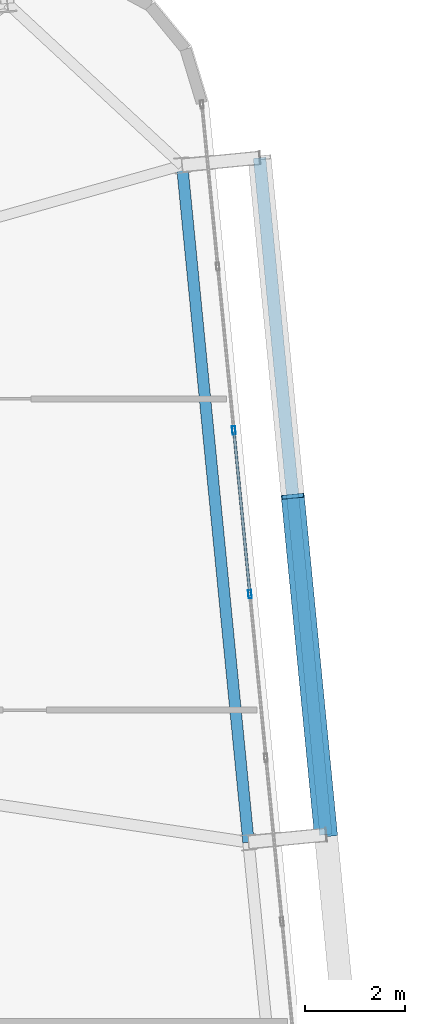
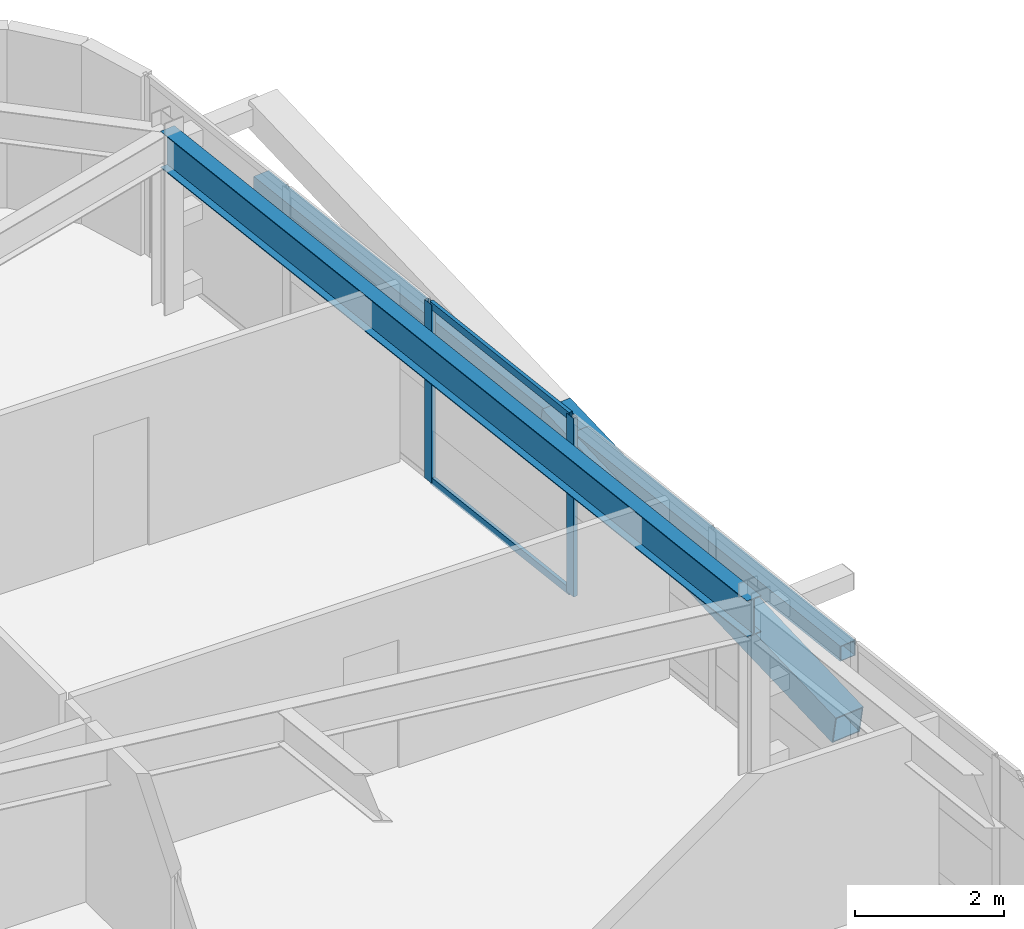
# One storey, part 26 of 52: 6 members, 1 beam, 1 element without a shape of its own.
"""IFC4 building model written with IfcOpenShell, lengths in metres."""

import ifcopenshell
import ifcopenshell.guid

model = None  # the IFC model being written
_history = None  # IfcOwnerHistory: only IFC2X3 demands one
_inside = {}  # id of a spatial element -> (the spatial element, [elements in it])
_under = {}  # id of a project, library or spatial element -> (it, [spatial elements below it])
_declared = {}  # id of a project -> (the project, [libraries it declares])
_typed = {}  # id of a type object -> (the type object, [elements of that type])
_made_of = {}  # id of a material, layer set ... -> (it, [elements and type objects made of it])


def new_model(schema):
    """Start an empty IFC model of exactly this schema.

    Asked for "IFC4X3", IfcOpenShell would pick the latest addendum, in which some entities
    have other attributes; the version numbers below select the first issue.
    IFC2X3 requires an IfcOwnerHistory on every rooted entity: one is made here for all.
    """
    global model, _history
    if schema == "IFC4X3":
        model = ifcopenshell.file(schema_version=(4, 3, 0, 0))
    else:
        model = ifcopenshell.file(schema=schema)
    _inside.clear()
    _under.clear()
    _declared.clear()
    _typed.clear()
    _made_of.clear()
    _history = None
    if model.schema == "IFC2X3":
        org = make("IfcOrganization", Name="unknown")
        user = make(
            "IfcPersonAndOrganization",
            ThePerson=make("IfcPerson", FamilyName="unknown"),
            TheOrganization=org,
        )
        app = make(
            "IfcApplication",
            ApplicationDeveloper=org,
            Version="unknown",
            ApplicationFullName="unknown",
            ApplicationIdentifier="unknown",
        )
        _history = make(
            "IfcOwnerHistory",
            OwningUser=user,
            OwningApplication=app,
            ChangeAction="ADDED",
            CreationDate=0,
        )
    return model


def make(cls, **values):
    """One entity of the class cls with the attributes given. An attribute that is None is left unset."""
    return model.create_entity(
        cls, **{name: value for name, value in values.items() if value is not None}
    )


def rooted(cls, **values):
    """An entity with a GlobalId (a new one), such as an element, a storey or a relation."""
    return make(cls, GlobalId=ifcopenshell.guid.new(), OwnerHistory=_history, **values)


def si_unit(unit_type, name, prefix=None):
    """IfcSIUnit, for example si_unit("LENGTHUNIT", "METRE", prefix="MILLI")."""
    return make("IfcSIUnit", UnitType=unit_type, Prefix=prefix, Name=name)


def assignment(units):
    """IfcUnitAssignment: the units of a project."""
    return None if units is None else make("IfcUnitAssignment", Units=units)


def point(xyz):
    """IfcCartesianPoint."""
    return None if xyz is None else make("IfcCartesianPoint", Coordinates=xyz)


def direction(xyz):
    """IfcDirection."""
    return None if xyz is None else make("IfcDirection", DirectionRatios=xyz)


def frame(location, z_axis=None, x_axis=None):
    """IfcAxis2Placement3D, a coordinate frame: its origin and axes. An axis left out is left unset."""
    return make(
        "IfcAxis2Placement3D",
        Location=point(location),
        Axis=direction(z_axis),
        RefDirection=direction(x_axis),
    )


def frame_2d(location, x_axis=None):
    """IfcAxis2Placement2D, a coordinate frame in the plane: its origin and x axis."""
    return make(
        "IfcAxis2Placement2D", Location=point(location), RefDirection=direction(x_axis)
    )


def origin():
    """The frame at (0, 0, 0) with its axes left unset."""
    return frame((0.0, 0.0, 0.0))


def origin_2d():
    """The frame at (0, 0) in the plane with its x axis left unset."""
    return frame_2d((0.0, 0.0))


def place(relative_to, where):
    """IfcLocalPlacement: puts the frame where relative to a parent placement (None: the world)."""
    return make(
        "IfcLocalPlacement", PlacementRelTo=relative_to, RelativePlacement=where
    )


def context(
    kind, dimensions, precision=None, world=None, true_north=None, identifier=None
):
    """IfcGeometricRepresentationContext, for example the 3D "Model" context."""
    return make(
        "IfcGeometricRepresentationContext",
        ContextIdentifier=identifier,
        ContextType=kind,
        CoordinateSpaceDimension=dimensions,
        Precision=precision,
        WorldCoordinateSystem=world,
        TrueNorth=true_north,
    )


def subcontext(parent, identifier, kind, view, scale=None):
    """IfcGeometricRepresentationSubContext, for example "Body" below "Model"."""
    return make(
        "IfcGeometricRepresentationSubContext",
        ContextIdentifier=identifier,
        ContextType=kind,
        ParentContext=parent,
        TargetScale=scale,
        TargetView=view,
    )


def project(units=None, contexts=None):
    """IfcProject with its units and contexts."""
    return rooted(
        "IfcProject",
        Name="project",
        RepresentationContexts=contexts,
        UnitsInContext=assignment(units),
    )


def spatial(cls, under=None, at=None, **own):
    """A site, building, storey or space (cls), placed at a placement, below another one or the project."""
    s = rooted(cls, ObjectPlacement=at, **own)
    if under is not None:
        _under.setdefault(under.id(), (under, []))[1].append(s)
    return s


def profile(cls, at=None, kind="AREA", **sizes):
    """A parametric profile (cls). Its sizes go by their IFC names, for example OverallWidth=200.0."""
    return make(cls, ProfileType=kind, Position=at, **sizes)


def hollow_rectangle(**sizes):
    """IfcRectangleHollowProfileDef."""
    return profile("IfcRectangleHollowProfileDef", **sizes)


def i_section(**sizes):
    """IfcIShapeProfileDef."""
    return profile("IfcIShapeProfileDef", **sizes)


def extrude(swept, where, along, depth):
    """IfcExtrudedAreaSolid: the profile swept, set in the frame where, extruded along a direction by depth."""
    return make(
        "IfcExtrudedAreaSolid",
        SweptArea=swept,
        Position=where,
        ExtrudedDirection=direction(along),
        Depth=depth,
    )


def shape(context_of_items, identifier, shape_type, items):
    """IfcShapeRepresentation: the items that make up one representation, for example the "Body"."""
    return make(
        "IfcShapeRepresentation",
        ContextOfItems=context_of_items,
        RepresentationIdentifier=identifier,
        RepresentationType=shape_type,
        Items=items,
    )


def source(mapping_origin, context_of_items, identifier, shape_type, items):
    """IfcRepresentationMap: a shape defined once, which mapped items show again and again."""
    return make(
        "IfcRepresentationMap",
        MappingOrigin=mapping_origin,
        MappedRepresentation=shape(context_of_items, identifier, shape_type, items),
    )


def transform(
    local_origin,
    x_axis=None,
    y_axis=None,
    z_axis=None,
    scale=None,
    scale2=None,
    scale3=None,
    uniform=True,
):
    """IfcCartesianTransformationOperator3D, or its non-uniform kind. x_axis, y_axis, z_axis: its Axis1, 2, 3."""
    if uniform:
        return make(
            "IfcCartesianTransformationOperator3D",
            Axis1=direction(x_axis),
            Axis2=direction(y_axis),
            LocalOrigin=point(local_origin),
            Scale=scale,
            Axis3=direction(z_axis),
        )
    return make(
        "IfcCartesianTransformationOperator3DnonUniform",
        Axis1=direction(x_axis),
        Axis2=direction(y_axis),
        LocalOrigin=point(local_origin),
        Scale=scale,
        Axis3=direction(z_axis),
        Scale2=scale2,
        Scale3=scale3,
    )


def mapped(mapping_source, mapping_target):
    """IfcMappedItem: shows the shape of a source again, moved by a transform."""
    return make(
        "IfcMappedItem", MappingSource=mapping_source, MappingTarget=mapping_target
    )


def material(Name=None, Category=None):
    """IfcMaterial."""
    return make("IfcMaterial", Name=Name, Category=Category)


def layer(
    of_material, thickness, ventilated=None, Name=None, Category=None, Priority=None
):
    """IfcMaterialLayer: one layer of a wall or slab, of a material (None: an air gap)."""
    return make(
        "IfcMaterialLayer",
        Material=of_material,
        LayerThickness=thickness,
        IsVentilated=ventilated,
        Name=Name,
        Category=Category,
        Priority=Priority,
    )


def layer_set(layers, Name=None):
    """IfcMaterialLayerSet."""
    return make("IfcMaterialLayerSet", MaterialLayers=layers, LayerSetName=Name)


def material_profile(
    of_material, cross_section, Name=None, Category=None, Priority=None
):
    """IfcMaterialProfile: a cross section and its material."""
    return make(
        "IfcMaterialProfile",
        Name=Name,
        Material=of_material,
        Profile=cross_section,
        Priority=Priority,
        Category=Category,
    )


def profile_set(profiles, Name=None, composite=None):
    """IfcMaterialProfileSet."""
    return make(
        "IfcMaterialProfileSet",
        Name=Name,
        MaterialProfiles=profiles,
        CompositeProfile=composite,
    )


def made_of(thing, what):
    """Note that an element or type object is made of a material, layer set ...; save() writes the relation."""
    if what is not None:
        _made_of.setdefault(what.id(), (what, []))[1].append(thing)
    return thing


def type_object(cls, material=None, **own):
    """A type object (cls), such as IfcWallType, which elements share."""
    return made_of(rooted(cls, **own), material)


def element(
    cls,
    number,
    at=None,
    inside=None,
    cuts=None,
    type_object=None,
    material=None,
    context=None,
    identifier="Body",
    shape_type=None,
    held_by="IfcProductDefinitionShape",
    body=None,
    shapes=None,
    **own,
):
    """One element of the class cls, such as IfcWall. Its Tag is "e" and its number.

    at: its placement. inside: the storey or other place that contains it. cuts: it is an
    opening in that element (IfcRelVoidsElement). A single representation is given by context,
    identifier, shape_type and body (its items); several are given by shapes. held_by: the class
    of the entity that holds the representations. save() writes the other relations.
    """
    e = rooted(cls, Tag="e%d" % number, ObjectPlacement=at, **own)
    if body is not None:
        shapes = [shape(context, identifier, shape_type, body)]
    if shapes is not None:
        e.Representation = make(held_by, Representations=shapes)
    if inside is not None:
        _inside.setdefault(inside.id(), (inside, []))[1].append(e)
    if cuts is not None:
        rooted(
            "IfcRelVoidsElement", RelatingBuildingElement=cuts, RelatedOpeningElement=e
        )
    if type_object is not None:
        _typed.setdefault(type_object.id(), (type_object, []))[1].append(e)
    return made_of(e, material)


def aggregate(whole, parts):
    """IfcRelAggregates: a whole, such as a stair, and the parts it consists of."""
    return rooted("IfcRelAggregates", RelatingObject=whole, RelatedObjects=parts)


def save(model, path):
    """Write the relations noted so far, then the file.

    IfcRelAggregates (storeys below a building ...), IfcRelContainedInSpatialStructure (elements
    in a storey), IfcRelDefinesByType, IfcRelAssociatesMaterial and IfcRelDeclares: one each for
    every whole, place, type object, material and project.
    """
    for whole, parts in _under.values():
        aggregate(whole, parts)
    for where, things in _inside.values():
        rooted(
            "IfcRelContainedInSpatialStructure",
            RelatedElements=things,
            RelatingStructure=where,
        )
    for kind, things in _typed.values():
        rooted("IfcRelDefinesByType", RelatedObjects=things, RelatingType=kind)
    for what, things in _made_of.values():
        rooted("IfcRelAssociatesMaterial", RelatedObjects=things, RelatingMaterial=what)
    for by, libraries in _declared.values():
        rooted("IfcRelDeclares", RelatingContext=by, RelatedDefinitions=libraries)
    model.write(path)


model = new_model("IFC4")

# Units and contexts
model_context = context("Model", 3, precision=1e-05, world=origin(), true_north=direction((0.0, 1.0)))
body_context = subcontext(model_context, "Body", "Model", "MODEL_VIEW")
ifc_project = project(units=[si_unit("LENGTHUNIT", "METRE"), si_unit("AREAUNIT", "SQUARE_METRE"), si_unit("VOLUMEUNIT", "CUBIC_METRE"), si_unit("PLANEANGLEUNIT", "RADIAN"), si_unit("MASSUNIT", "GRAM", prefix="KILO")], contexts=[model_context])

# Site, building, storey
site_placement = place(None, origin())
site = spatial("IfcSite", under=ifc_project, at=site_placement, CompositionType="ELEMENT")
building_placement = place(site_placement, origin())
building = spatial("IfcBuilding", under=site, at=building_placement, Name="Taldren Reach Tower", CompositionType="ELEMENT")
storey_placement = place(building_placement, frame((0.0, 0.0, 77.699951171875)))
storey = spatial("IfcBuildingStorey", under=building, at=storey_placement, Name="L23", CompositionType="ELEMENT", Elevation=77.699951171875)

# Beam
ifc_material_1 = material(Name="Steel Gr 350 (350PLUS)", Category="steel")
ifc_material_profile_1 = material_profile(ifc_material_1, i_section(OverallWidth=0.22802734375, OverallDepth=0.60205078125, WebThickness=0.010498046875, FlangeThickness=0.014892578125, at=origin_2d()), Name="610UB101")
ifc_profile_set_1 = profile_set([ifc_material_profile_1], Name="Steel Gr 350 (350PLUS)")
beam_type = type_object("IfcBeamType", Name="BM-UB610B", PredefinedType="BEAM", material=ifc_profile_set_1)
shared_shape_1 = source(origin(), body_context, "Body", "SweptSolid", [
    extrude(i_section(OverallWidth=0.22802734375, OverallDepth=0.60205078125, WebThickness=0.010498046875, FlangeThickness=0.014892578125, at=origin_2d()), origin(), (0.0, 0.0, 1.0), 13.550048828125),
])
beam_placement = place(storey_placement, frame((64.569580078125, 21.968994140625, 2.629150390625), z_axis=(-0.097584021339, 0.995227290009, 0.0), x_axis=(-0.995227290009, -0.097584021339, 0.0)))
element("IfcBeam", 1, at=beam_placement, inside=storey, type_object=beam_type, Name="Perimeter gable girder B2 E2-E3 L23", PredefinedType="BEAM", context=body_context, shape_type="MappedRepresentation", body=[
    mapped(shared_shape_1, transform((0.0, 0.0, 0.0), scale=1.0)),
])

# Members
ifc_material_2 = material(Name="Steel Gr 450 (C450L0)", Category="steel")
ifc_material_profile_2 = material_profile(ifc_material_2, hollow_rectangle(XDim=0.4599609375, YDim=0.4599609375, WallThickness=0.01611328125, at=origin_2d()), Name="460x460x16.0SHS")
ifc_profile_set_2 = profile_set([ifc_material_profile_2], Name="Steel Gr 450 (C450L0)")
member_type_1 = type_object("IfcMemberType", Name="MB-EXO457", PredefinedType="BRACE", material=ifc_profile_set_2)
shared_shape_2 = source(origin(), body_context, "Body", "SweptSolid", [
    extrude(hollow_rectangle(XDim=0.4599609375, YDim=0.4599609375, WallThickness=0.01611328125, at=origin_2d()), origin(), (0.0, 0.0, 1.0), 6.883056640625),
])
member_1_placement = place(storey_placement, frame((66.112060546875, 22.1201171875, 0.219970703125), z_axis=(-0.09605145821, 0.97959718347, 0.176531797456), x_axis=(-0.995227290009, -0.097584021339, 0.0)))
element("IfcMember", 2, at=member_1_placement, inside=storey, type_object=member_type_1, Name="Exoskeleton Diagrid Brace B2-E2 L23", PredefinedType="BRACE", context=body_context, shape_type="MappedRepresentation", body=[
    mapped(shared_shape_2, transform((0.0, 0.0, 0.0), scale=1.0)),
])
ifc_material_3 = material(Name="Steel Gr 350 (C350L0)", Category="steel")
ifc_material_profile_3 = material_profile(ifc_material_3, hollow_rectangle(XDim=0.25, YDim=0.25, WallThickness=0.010009765625, at=origin_2d()), Name="250x250x10.0SHS")
ifc_profile_set_3 = profile_set([ifc_material_profile_3], Name="Steel Gr 350 (C350L0)")
member_type_2 = type_object("IfcMemberType", Name="MB-POST250", PredefinedType="POST", material=ifc_profile_set_3)
shared_shape_3 = source(origin(), body_context, "Body", "SweptSolid", [
    extrude(hollow_rectangle(XDim=0.25, YDim=0.25, WallThickness=0.010009765625, at=origin_2d()), origin(), (0.0, 0.0, 1.0), 13.550048828125),
])
member_2_placement = place(storey_placement, frame((66.112060546875, 22.1201171875, 1.43505859375), z_axis=(-0.097584021339, 0.995227290009, 0.0), x_axis=(-0.995227290009, -0.097584021339, 0.0)))
element("IfcMember", 3, at=member_2_placement, inside=storey, type_object=member_type_2, Name="Exoskeleton mid-height ring chord B2-E2 L23", PredefinedType="POST", context=body_context, shape_type="MappedRepresentation", body=[
    mapped(shared_shape_3, transform((0.0, 0.0, 0.0), scale=1.0)),
])

# Curtain wall, members
ifc_material_4 = material(Name="Aluminium and Low-E Glass Unitised System", Category="aluminium")
ifc_layer = layer(ifc_material_4, 0.159912109375)
ifc_layer_set = layer_set([ifc_layer], Name="Aluminium and Low-E Glass Unitised System")
curtain_wall_type = type_object("IfcCurtainWallType", Name="CW-SYS-3", PredefinedType="NOTDEFINED", material=ifc_layer_set)
curtain_wall_placement = place(storey_placement, origin())
curtain_wall = element("IfcCurtainWall", 4, at=curtain_wall_placement, inside=storey, type_object=curtain_wall_type, Name="Unitised curtain wall CW-L23-E", PredefinedType="NOTDEFINED")
ifc_material_5 = material(Name="Anodised Aluminium 6063-T6", Category="aluminium")
ifc_material_profile_4 = material_profile(ifc_material_5, hollow_rectangle(XDim=0.06494140625, YDim=0.1650390625, WallThickness=0.00390625, at=origin_2d()), Name="ALU-165x65x4RHS")
ifc_profile_set_4 = profile_set([ifc_material_profile_4], Name="Anodised Aluminium 6063-T6")
member_type_3 = type_object("IfcMemberType", Name="CW-MUL-165", PredefinedType="MULLION", material=ifc_profile_set_4)
shared_shape_4 = source(origin(), body_context, "Body", "SweptSolid", [
    extrude(hollow_rectangle(XDim=0.06494140625, YDim=0.1650390625, WallThickness=0.00390625, at=origin_2d()), origin(), (0.0, 0.0, 1.0), 2.929931640625),
])
member_3_placement = place(storey_placement, frame((64.59716796875, 26.911865234375, 0.0), z_axis=(0.0, 0.0, 1.0), x_axis=(-0.99522741555, -0.09758274098, 0.0)))
member_3 = element("IfcMember", 5, at=member_3_placement, type_object=member_type_3, Name="CW-3 mullion 7", PredefinedType="MULLION", context=body_context, shape_type="MappedRepresentation", body=[
    mapped(shared_shape_4, transform((0.0, 0.0, 0.0), scale=1.0)),
])
member_4_placement = place(storey_placement, frame((64.27734375, 30.174072265625, 0.0), z_axis=(0.0, 0.0, 1.0), x_axis=(-0.99522741555, -0.09758274098, 0.0)))
member_4 = element("IfcMember", 6, at=member_4_placement, type_object=member_type_3, Name="CW-3 mullion 8", PredefinedType="MULLION", context=body_context, shape_type="MappedRepresentation", body=[
    mapped(shared_shape_4, transform((0.0, 0.0, 0.0), scale=1.0)),
])
ifc_material_profile_5 = material_profile(ifc_material_5, hollow_rectangle(XDim=0.054931640625, YDim=0.1201171875, WallThickness=0.0029296875, at=origin_2d()), Name="ALU-120x55x3RHS")
ifc_profile_set_5 = profile_set([ifc_material_profile_5], Name="Anodised Aluminium 6063-T6")
member_type_4 = type_object("IfcMemberType", Name="CW-TRN-135", PredefinedType="USERDEFINED", material=ifc_profile_set_5)
shared_shape_5 = source(origin(), body_context, "Body", "SweptSolid", [
    extrude(hollow_rectangle(XDim=0.054931640625, YDim=0.1201171875, WallThickness=0.0029296875, at=origin_2d()), origin(), (0.0, 0.0, 1.0), 3.212890625),
])
member_5_placement = place(storey_placement, frame((64.593994140625, 26.944091796875, 0.027587890625), z_axis=(-0.097569948235, 0.995228669805, 0.0), x_axis=(-0.995228669805, -0.097569948235, 0.0)))
member_5 = element("IfcMember", 7, at=member_5_placement, type_object=member_type_4, Name="CW-3 transom 7.1", ObjectType="TRANSOM", PredefinedType="USERDEFINED", context=body_context, shape_type="MappedRepresentation", body=[
    mapped(shared_shape_5, transform((0.0, 0.0, 0.0), scale=1.0)),
])
member_6_placement = place(storey_placement, frame((64.593994140625, 26.944091796875, 2.902587890625), z_axis=(-0.097569948235, 0.995228669805, 0.0), x_axis=(-0.995228669805, -0.097569948235, 0.0)))
member_6 = element("IfcMember", 8, at=member_6_placement, type_object=member_type_4, Name="CW-3 transom 7.2", ObjectType="TRANSOM", PredefinedType="USERDEFINED", context=body_context, shape_type="MappedRepresentation", body=[
    mapped(shared_shape_5, transform((0.0, 0.0, 0.0), scale=1.0)),
])
aggregate(curtain_wall, [member_3, member_4, member_5, member_6])

save(model, "model.ifc")
